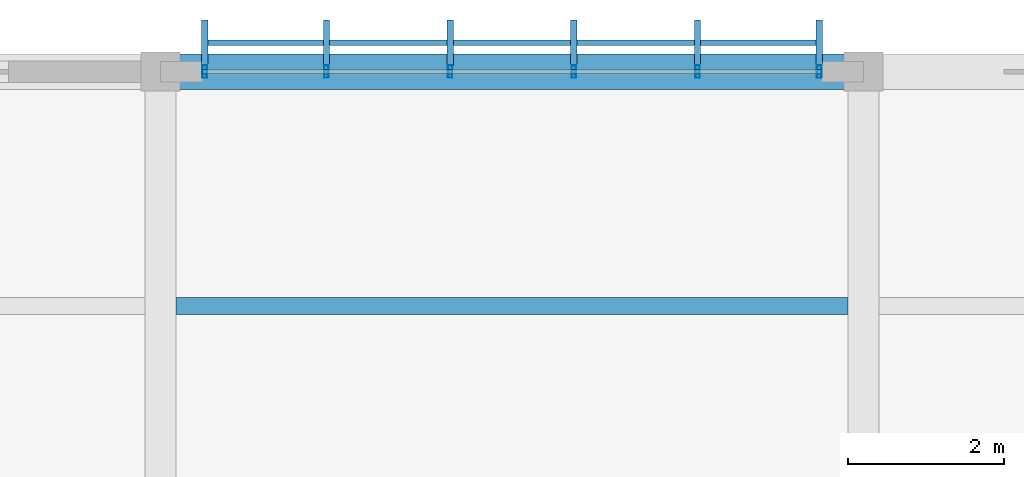
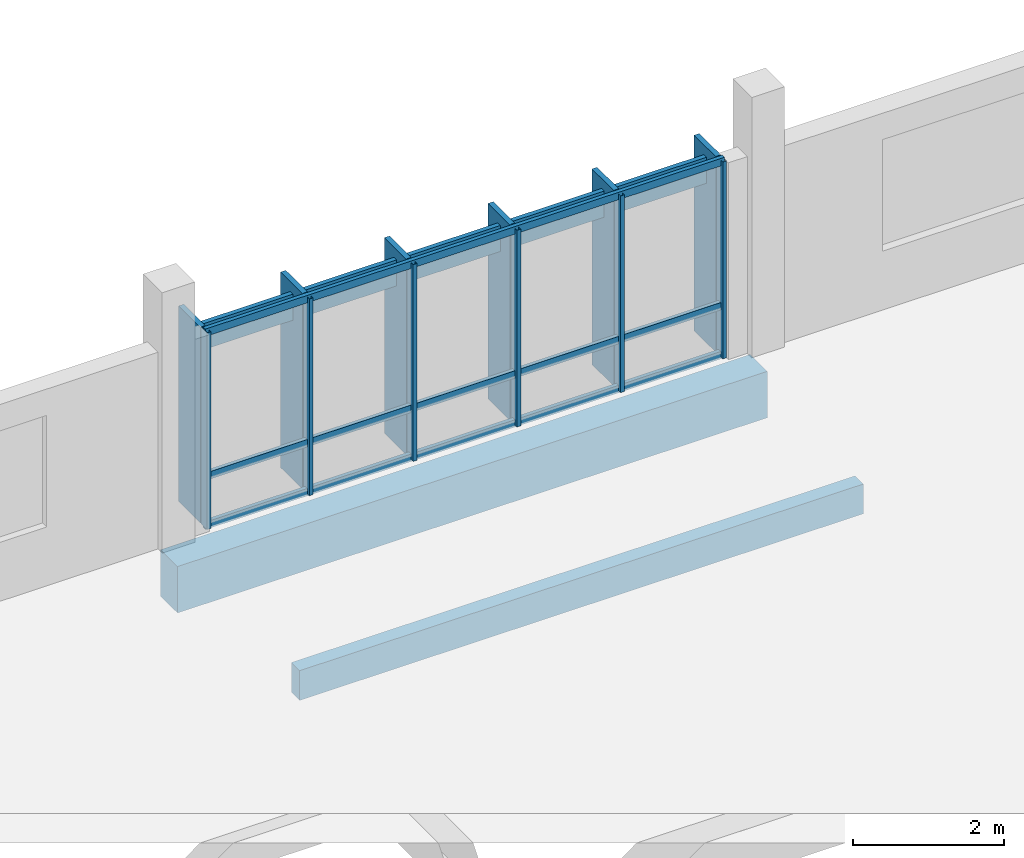
# One storey, part 134 of 182: 16 members, 2 beams, 1 element without a shape of its own.
"""IFC4 building model written with IfcOpenShell, lengths in metres."""

from ifc_helpers import new_model, si_unit, direction, frame, origin, origin_2d, place, context, subcontext, project, spatial, rectangle, hollow_rectangle, extrude, material, material_profile, profile_set, type_object, element, aggregate, save


model = new_model("IFC4")

# Units and contexts
model_context = context("Model", 3, precision=1e-05, world=origin(), true_north=direction((0.0, 1.0)))
body_context = subcontext(model_context, "Body", "Model", "MODEL_VIEW")
ifc_project = project(units=[si_unit("LENGTHUNIT", "METRE"), si_unit("AREAUNIT", "SQUARE_METRE"), si_unit("VOLUMEUNIT", "CUBIC_METRE"), si_unit("PLANEANGLEUNIT", "RADIAN"), si_unit("MASSUNIT", "GRAM", prefix="KILO")], contexts=[model_context])

# Site, building, storey
site_placement = place(None, origin())
site = spatial("IfcSite", under=ifc_project, at=site_placement, CompositionType="ELEMENT")
building_placement = place(site_placement, origin())
building = spatial("IfcBuilding", under=site, at=building_placement, Name="Chiffa Square Polytechnic", CompositionType="ELEMENT")
storey_placement = place(building_placement, frame((0.0, 0.0, 9.60009765625)))
storey = spatial("IfcBuildingStorey", under=building, at=storey_placement, Name="L02", CompositionType="ELEMENT", Elevation=9.60009765625)

# Beam
ifc_material_1 = material(Name="Concrete C35/45", Category="concrete")
ifc_material_profile_1 = material_profile(ifc_material_1, rectangle(XDim=0.449951171875, YDim=0.75, at=origin_2d()), Name="RC 450x750")
ifc_profile_set_1 = profile_set([ifc_material_profile_1], Name="Concrete C35/45")
beam_type_1 = type_object("IfcBeamType", Name="BM-RC-450X750", PredefinedType="BEAM", material=ifc_profile_set_1)
beam_1_placement = place(storey_placement, frame((93.60009765625, 130.800048828125, -0.695068359375), z_axis=(1.0, 0.0, 0.0), x_axis=(0.0, 1.0, 0.0)))
element("IfcBeam", 1, at=beam_1_placement, inside=storey, type_object=beam_type_1, Name="Primary floor girder BM-V5-L02-X-0936-1308", PredefinedType="BEAM", context=body_context, shape_type="SweptSolid", body=[
    extrude(rectangle(XDim=0.449951171875, YDim=0.75, at=origin_2d()), origin(), (0.0, 0.0, 1.0), 9.0),
])

# Curtain wall, members
ifc_material_2 = material(Name="Aluminium EN AW-6060 T66 and glulam shading", Category="wood")
curtain_wall_type = type_object("IfcCurtainWallType", Name="CW-VERT-300X380", PredefinedType="USERDEFINED", material=ifc_material_2)
curtain_wall_placement = place(storey_placement, origin())
curtain_wall = element("IfcCurtainWall", 2, at=curtain_wall_placement, inside=storey, type_object=curtain_wall_type, Name="Curtain wall CW-V5-L02-219", ObjectType="CURTAIN WALL", PredefinedType="USERDEFINED")
ifc_material_3 = material(Name="Aluminium EN AW-6060 T66", Category="aluminium")
ifc_material_profile_2 = material_profile(ifc_material_3, hollow_rectangle(XDim=0.06005859375, YDim=0.159912109375, WallThickness=0.00390625, at=origin_2d()), Name="ALU 60x160x4")
ifc_profile_set_2 = profile_set([ifc_material_profile_2], Name="Aluminium EN AW-6060 T66")
member_type_1 = type_object("IfcMemberType", Name="CWM-ALU-65X150", PredefinedType="MULLION", material=ifc_profile_set_2)
member_1_placement = place(storey_placement, frame((102.034912109375, 130.800048828125, 0.0), z_axis=(0.0, 0.0, 1.0), x_axis=(1.0, 0.0, 0.0)))
member_1 = element("IfcMember", 3, at=member_1_placement, type_object=member_type_1, Name="Curtain wall mullion CW-V5-L02-219-M00", PredefinedType="MULLION", context=body_context, shape_type="SweptSolid", body=[
    extrude(hollow_rectangle(XDim=0.06005859375, YDim=0.159912109375, WallThickness=0.00390625, at=origin_2d()), origin(), (0.0, 0.0, 1.0), 3.1748046875),
])
member_2_placement = place(storey_placement, frame((100.47607421875, 130.800048828125, 0.0), z_axis=(0.0, 0.0, 1.0), x_axis=(1.0, 0.0, 0.0)))
member_2 = element("IfcMember", 4, at=member_2_placement, type_object=member_type_1, Name="Curtain wall mullion CW-V5-L02-219-M01", PredefinedType="MULLION", context=body_context, shape_type="SweptSolid", body=[
    extrude(hollow_rectangle(XDim=0.06005859375, YDim=0.159912109375, WallThickness=0.00390625, at=origin_2d()), origin(), (0.0, 0.0, 1.0), 3.1748046875),
])
member_3_placement = place(storey_placement, frame((98.89208984375, 130.800048828125, 0.0), z_axis=(0.0, 0.0, 1.0), x_axis=(1.0, 0.0, 0.0)))
member_3 = element("IfcMember", 5, at=member_3_placement, type_object=member_type_1, Name="Curtain wall mullion CW-V5-L02-219-M02", PredefinedType="MULLION", context=body_context, shape_type="SweptSolid", body=[
    extrude(hollow_rectangle(XDim=0.06005859375, YDim=0.159912109375, WallThickness=0.00390625, at=origin_2d()), origin(), (0.0, 0.0, 1.0), 3.1748046875),
])
member_4_placement = place(storey_placement, frame((97.30810546875, 130.800048828125, 0.0), z_axis=(0.0, 0.0, 1.0), x_axis=(1.0, 0.0, 0.0)))
member_4 = element("IfcMember", 6, at=member_4_placement, type_object=member_type_1, Name="Curtain wall mullion CW-V5-L02-219-M03", PredefinedType="MULLION", context=body_context, shape_type="SweptSolid", body=[
    extrude(hollow_rectangle(XDim=0.06005859375, YDim=0.159912109375, WallThickness=0.00390625, at=origin_2d()), origin(), (0.0, 0.0, 1.0), 3.1748046875),
])
member_5_placement = place(storey_placement, frame((95.72412109375, 130.800048828125, 0.0), z_axis=(0.0, 0.0, 1.0), x_axis=(1.0, 0.0, 0.0)))
member_5 = element("IfcMember", 7, at=member_5_placement, type_object=member_type_1, Name="Curtain wall mullion CW-V5-L02-219-M04", PredefinedType="MULLION", context=body_context, shape_type="SweptSolid", body=[
    extrude(hollow_rectangle(XDim=0.06005859375, YDim=0.159912109375, WallThickness=0.00390625, at=origin_2d()), origin(), (0.0, 0.0, 1.0), 3.1748046875),
])
member_6_placement = place(storey_placement, frame((94.1650390625, 130.800048828125, 0.0), z_axis=(0.0, 0.0, 1.0), x_axis=(1.0, 0.0, 0.0)))
member_6 = element("IfcMember", 8, at=member_6_placement, type_object=member_type_1, Name="Curtain wall mullion CW-V5-L02-219-M05", PredefinedType="MULLION", context=body_context, shape_type="SweptSolid", body=[
    extrude(hollow_rectangle(XDim=0.06005859375, YDim=0.159912109375, WallThickness=0.00390625, at=origin_2d()), origin(), (0.0, 0.0, 1.0), 3.1748046875),
])
ifc_material_4 = material(Name="Glulam GL28h", Category="wood")
ifc_material_profile_3 = material_profile(ifc_material_4, rectangle(XDim=0.080078125, YDim=0.580078125, at=origin_2d()), Name="GL28h 80x580")
ifc_profile_set_3 = profile_set([ifc_material_profile_3], Name="Glulam GL28h")
member_type_2 = type_object("IfcMemberType", Name="CWM-GL-80X580", PredefinedType="MULLION", material=ifc_profile_set_3)
member_7_placement = place(storey_placement, frame((102.034912109375, 131.172119140625, 0.010009765625), z_axis=(0.0, 0.0, 1.0), x_axis=(-1.0, 0.0, 0.0)))
member_7 = element("IfcMember", 9, at=member_7_placement, type_object=member_type_2, Name="Exterior glulam solar fin CW-V5-L02-219-FN00", PredefinedType="MULLION", context=body_context, shape_type="SweptSolid", body=[
    extrude(rectangle(XDim=0.080078125, YDim=0.580078125, at=origin_2d()), origin(), (0.0, 0.0, 1.0), 3.15478515625),
])
member_8_placement = place(storey_placement, frame((100.47607421875, 131.172119140625, 0.010009765625), z_axis=(0.0, 0.0, 1.0), x_axis=(-1.0, 0.0, 0.0)))
member_8 = element("IfcMember", 10, at=member_8_placement, type_object=member_type_2, Name="Exterior glulam solar fin CW-V5-L02-219-FN01", PredefinedType="MULLION", context=body_context, shape_type="SweptSolid", body=[
    extrude(rectangle(XDim=0.080078125, YDim=0.580078125, at=origin_2d()), origin(), (0.0, 0.0, 1.0), 3.15478515625),
])
member_9_placement = place(storey_placement, frame((98.89208984375, 131.172119140625, 0.010009765625), z_axis=(0.0, 0.0, 1.0), x_axis=(-1.0, 0.0, 0.0)))
member_9 = element("IfcMember", 11, at=member_9_placement, type_object=member_type_2, Name="Exterior glulam solar fin CW-V5-L02-219-FN02", PredefinedType="MULLION", context=body_context, shape_type="SweptSolid", body=[
    extrude(rectangle(XDim=0.080078125, YDim=0.580078125, at=origin_2d()), origin(), (0.0, 0.0, 1.0), 3.15478515625),
])
member_10_placement = place(storey_placement, frame((97.30810546875, 131.172119140625, 0.010009765625), z_axis=(0.0, 0.0, 1.0), x_axis=(-1.0, 0.0, 0.0)))
member_10 = element("IfcMember", 12, at=member_10_placement, type_object=member_type_2, Name="Exterior glulam solar fin CW-V5-L02-219-FN03", PredefinedType="MULLION", context=body_context, shape_type="SweptSolid", body=[
    extrude(rectangle(XDim=0.080078125, YDim=0.580078125, at=origin_2d()), origin(), (0.0, 0.0, 1.0), 3.15478515625),
])
member_11_placement = place(storey_placement, frame((95.72412109375, 131.172119140625, 0.010009765625), z_axis=(0.0, 0.0, 1.0), x_axis=(-1.0, 0.0, 0.0)))
member_11 = element("IfcMember", 13, at=member_11_placement, type_object=member_type_2, Name="Exterior glulam solar fin CW-V5-L02-219-FN04", PredefinedType="MULLION", context=body_context, shape_type="SweptSolid", body=[
    extrude(rectangle(XDim=0.080078125, YDim=0.580078125, at=origin_2d()), origin(), (0.0, 0.0, 1.0), 3.15478515625),
])
member_12_placement = place(storey_placement, frame((94.1650390625, 131.172119140625, 0.010009765625), z_axis=(0.0, 0.0, 1.0), x_axis=(-1.0, 0.0, 0.0)))
member_12 = element("IfcMember", 14, at=member_12_placement, type_object=member_type_2, Name="Exterior glulam solar fin CW-V5-L02-219-FN05", PredefinedType="MULLION", context=body_context, shape_type="SweptSolid", body=[
    extrude(rectangle(XDim=0.080078125, YDim=0.580078125, at=origin_2d()), origin(), (0.0, 0.0, 1.0), 3.15478515625),
])
ifc_material_profile_4 = material_profile(ifc_material_3, hollow_rectangle(XDim=0.06005859375, YDim=0.1201171875, WallThickness=0.00390625, at=origin_2d()), Name="ALU 60x120x4")
ifc_profile_set_4 = profile_set([ifc_material_profile_4], Name="Aluminium EN AW-6060 T66")
member_type_3 = type_object("IfcMemberType", Name="CWT-ALU-65X120", PredefinedType="USERDEFINED", material=ifc_profile_set_4)
member_13_placement = place(storey_placement, frame((102.06201171875, 130.800048828125, 0.02978515625), z_axis=(-1.0, 0.0, 0.0), x_axis=(0.0, -1.0, 0.0)))
member_13 = element("IfcMember", 15, at=member_13_placement, type_object=member_type_3, Name="Curtain wall transom CW-V5-L02-219-T01", ObjectType="TRANSOM", PredefinedType="USERDEFINED", context=body_context, shape_type="SweptSolid", body=[
    extrude(hollow_rectangle(XDim=0.06005859375, YDim=0.1201171875, WallThickness=0.00390625, at=origin_2d()), origin(), (0.0, 0.0, 1.0), 7.924072265625),
])
member_14_placement = place(storey_placement, frame((102.06201171875, 130.800048828125, 0.81982421875), z_axis=(-1.0, 0.0, 0.0), x_axis=(0.0, -1.0, 0.0)))
member_14 = element("IfcMember", 16, at=member_14_placement, type_object=member_type_3, Name="Curtain wall transom CW-V5-L02-219-T02", ObjectType="TRANSOM", PredefinedType="USERDEFINED", context=body_context, shape_type="SweptSolid", body=[
    extrude(hollow_rectangle(XDim=0.06005859375, YDim=0.1201171875, WallThickness=0.00390625, at=origin_2d()), origin(), (0.0, 0.0, 1.0), 7.924072265625),
])
member_15_placement = place(storey_placement, frame((102.06201171875, 130.800048828125, 3.14501953125), z_axis=(-1.0, 0.0, 0.0), x_axis=(0.0, -1.0, 0.0)))
member_15 = element("IfcMember", 17, at=member_15_placement, type_object=member_type_3, Name="Curtain wall transom CW-V5-L02-219-T03", ObjectType="TRANSOM", PredefinedType="USERDEFINED", context=body_context, shape_type="SweptSolid", body=[
    extrude(hollow_rectangle(XDim=0.06005859375, YDim=0.1201171875, WallThickness=0.00390625, at=origin_2d()), origin(), (0.0, 0.0, 1.0), 7.924072265625),
])
ifc_material_profile_5 = material_profile(ifc_material_4, rectangle(XDim=0.070068359375, YDim=0.419921875, at=origin_2d()), Name="GL28h 70x420")
ifc_profile_set_5 = profile_set([ifc_material_profile_5], Name="Glulam GL28h")
member_type_4 = type_object("IfcMemberType", Name="CWT-GL-70X420", PredefinedType="USERDEFINED", material=ifc_profile_set_5)
member_16_placement = place(storey_placement, frame((102.034912109375, 131.172119140625, 2.794921875), z_axis=(-1.0, 0.0, 0.0), x_axis=(0.0, -1.0, 0.0)))
member_16 = element("IfcMember", 18, at=member_16_placement, type_object=member_type_4, Name="Exterior glulam brise-soleil CW-V5-L02-219-BS01", ObjectType="TRANSOM", PredefinedType="USERDEFINED", context=body_context, shape_type="SweptSolid", body=[
    extrude(rectangle(XDim=0.070068359375, YDim=0.419921875, at=origin_2d()), origin(), (0.0, 0.0, 1.0), 7.869873046875),
])
aggregate(curtain_wall, [member_1, member_7, member_2, member_8, member_3, member_9, member_4, member_10, member_5, member_11, member_6, member_12, member_13, member_14, member_15, member_16])

# Beam
ifc_material_profile_6 = material_profile(ifc_material_4, rectangle(XDim=0.219970703125, YDim=0.47998046875, at=origin_2d()), Name="GL28h 220x480")
ifc_profile_set_6 = profile_set([ifc_material_profile_6], Name="Glulam GL28h")
beam_type_2 = type_object("IfcBeamType", Name="JST-GL-220X480", PredefinedType="JOIST", material=ifc_profile_set_6)
beam_2_placement = place(storey_placement, frame((93.798095703125, 127.800048828125, -0.56005859375), z_axis=(1.0, 0.0, 0.0), x_axis=(0.0, 1.0, 0.0)))
element("IfcBeam", 19, at=beam_2_placement, inside=storey, type_object=beam_type_2, Name="Secondary floor joist JST-V5-L02-0936-1278", PredefinedType="JOIST", context=body_context, shape_type="SweptSolid", body=[
    extrude(rectangle(XDim=0.219970703125, YDim=0.47998046875, at=origin_2d()), origin(), (0.0, 0.0, 1.0), 8.60400390625),
])

save(model, "model.ifc")
